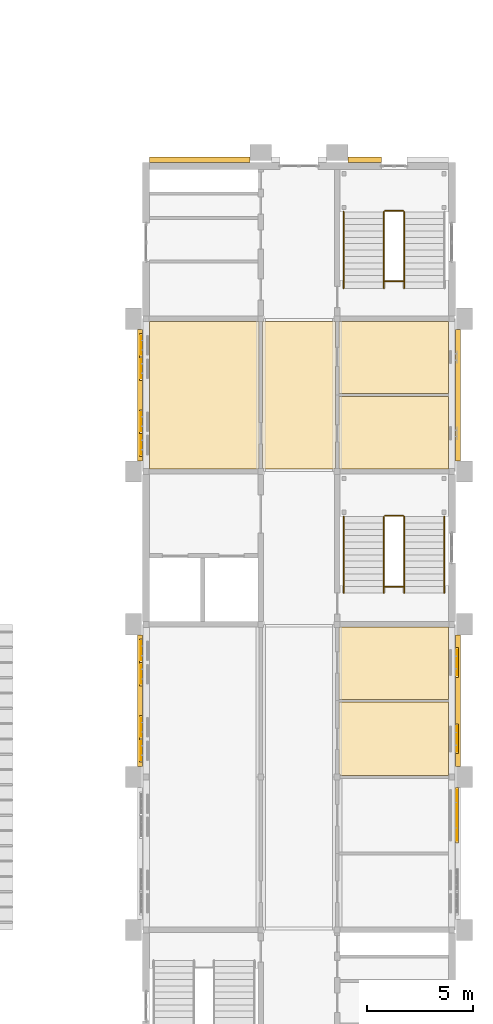
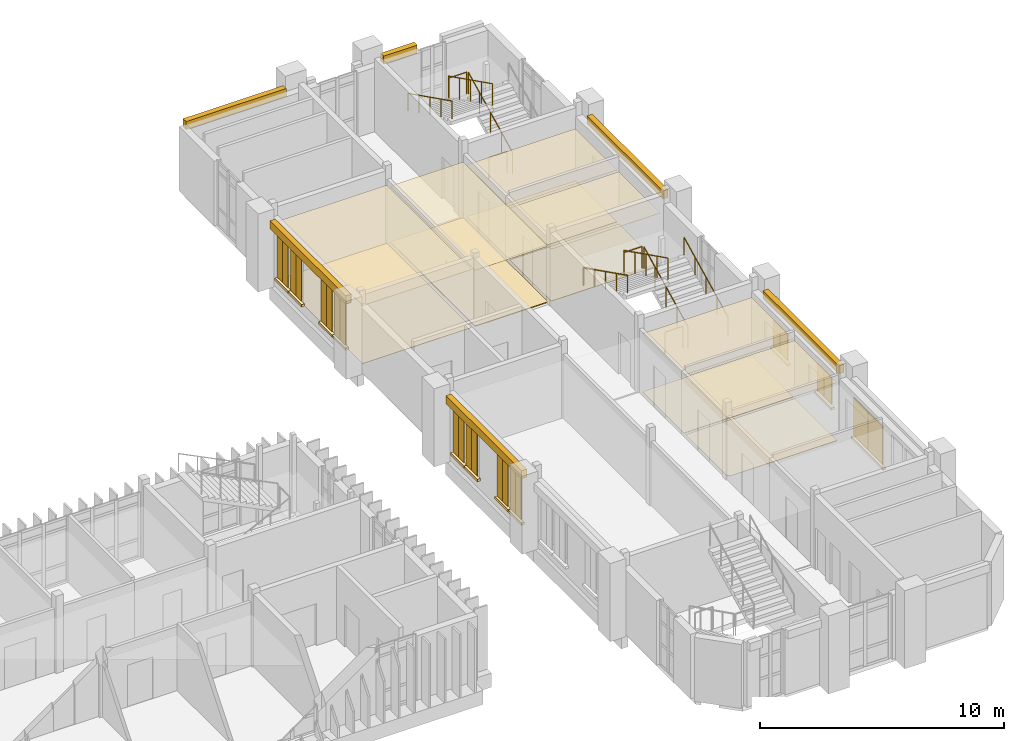
# One storey, part 65 of 69: 51 coverings, 11 railings.
"""IFC4 building model written with IfcOpenShell, lengths in metres."""

from ifc_helpers import new_model, si_unit, direction, frame, origin, origin_2d, place, context, subcontext, project, spatial, polyline, rectangle, circle, outline, extrude, material, layer, layer_set, type_object, element, save


model = new_model("IFC4")

# Units and contexts
model_context = context("Model", 3, precision=1e-05, world=origin(), true_north=direction((0.0, 1.0)))
body_context = subcontext(model_context, "Body", "Model", "MODEL_VIEW")
ifc_project = project(units=[si_unit("LENGTHUNIT", "METRE"), si_unit("AREAUNIT", "SQUARE_METRE"), si_unit("VOLUMEUNIT", "CUBIC_METRE"), si_unit("PLANEANGLEUNIT", "RADIAN"), si_unit("MASSUNIT", "GRAM", prefix="KILO")], contexts=[model_context])

# Site, building, storey
site_placement = place(None, origin())
site = spatial("IfcSite", under=ifc_project, at=site_placement, CompositionType="ELEMENT")
building_placement = place(site_placement, origin())
building = spatial("IfcBuilding", under=site, at=building_placement, Name="Mazhai Court Health Centre", CompositionType="ELEMENT")
storey_placement = place(building_placement, frame((0.0, 0.0, 6.300048828125)))
storey = spatial("IfcBuildingStorey", under=building, at=storey_placement, Name="L01", CompositionType="ELEMENT", Elevation=6.300048828125)

# Coverings
ifc_material_1 = material(Name="Clay brick masonry", Category="masonry")
ifc_layer_1 = layer(ifc_material_1, 0.25)
ifc_layer_set_1 = layer_set([ifc_layer_1], Name="BRICK BAND 250")
covering_type_1 = type_object("IfcCoveringType", Name="BRICK BAND 250", PredefinedType="MOLDING", material=ifc_layer_set_1)
covering_1_placement = place(storey_placement, frame((0.0, 0.0, 2.969970703125)))
element("IfcCovering", 1, at=covering_1_placement, inside=storey, type_object=covering_type_1, Name="EB-V6-L01-A2p0-0", PredefinedType="MOLDING", context=body_context, shape_type="SweptSolid", body=[
    extrude(outline(polyline([(135.635009765625, 21.10009765625), (135.635009765625, 27.300048828125), (135.385009765625, 27.300048828125), (135.385009765625, 21.10009765625), (135.635009765625, 21.10009765625)])), origin(), (0.0, 0.0, 1.0), 0.39990234375),
])
covering_2_placement = place(storey_placement, frame((0.0, 0.0, 2.969970703125)))
element("IfcCovering", 2, at=covering_2_placement, inside=storey, type_object=covering_type_1, Name="EB-V6-L01-A4p0-0", PredefinedType="MOLDING", context=body_context, shape_type="SweptSolid", body=[
    extrude(outline(polyline([(135.635009765625, 35.5), (135.635009765625, 41.699951171875), (135.385009765625, 41.699951171875), (135.385009765625, 35.5), (135.635009765625, 35.5)])), origin(), (0.0, 0.0, 1.0), 0.39990234375),
])
covering_3_placement = place(storey_placement, frame((0.0, 0.0, 2.969970703125)))
element("IfcCovering", 3, at=covering_3_placement, inside=storey, type_object=covering_type_1, Name="EB-V6-L01-B2p0-0", PredefinedType="MOLDING", context=body_context, shape_type="SweptSolid", body=[
    extrude(outline(polyline([(150.364990234375, 27.300048828125), (150.364990234375, 21.10009765625), (150.614990234375, 21.10009765625), (150.614990234375, 27.300048828125), (150.364990234375, 27.300048828125)])), origin(), (0.0, 0.0, 1.0), 0.39990234375),
])
covering_4_placement = place(storey_placement, frame((0.0, 0.0, 2.969970703125)))
element("IfcCovering", 4, at=covering_4_placement, inside=storey, type_object=covering_type_1, Name="EB-V6-L01-B4p0-0", PredefinedType="MOLDING", context=body_context, shape_type="SweptSolid", body=[
    extrude(outline(polyline([(150.364990234375, 41.699951171875), (150.364990234375, 35.5), (150.614990234375, 35.5), (150.614990234375, 41.699951171875), (150.364990234375, 41.699951171875)])), origin(), (0.0, 0.0, 1.0), 0.39990234375),
])
covering_5_placement = place(storey_placement, frame((0.0, 0.0, 2.949951171875)))
element("IfcCovering", 5, at=covering_5_placement, inside=storey, type_object=covering_type_1, Name="EB-V6-L01-Ep0-0", PredefinedType="MOLDING", context=body_context, shape_type="SweptSolid", body=[
    extrude(outline(polyline([(135.965087890625, 49.56494140625), (140.699951171875, 49.56494140625), (140.699951171875, 49.81494140625), (135.965087890625, 49.81494140625), (135.965087890625, 49.56494140625)])), origin(), (0.0, 0.0, 1.0), 0.39990234375),
])
covering_6_placement = place(storey_placement, frame((0.0, 0.0, 2.949951171875)))
element("IfcCovering", 6, at=covering_6_placement, inside=storey, type_object=covering_type_1, Name="EB-V6-L01-Ep1-1", PredefinedType="MOLDING", context=body_context, shape_type="SweptSolid", body=[
    extrude(outline(polyline([(145.300048828125, 49.56494140625), (146.8798828125, 49.56494140625), (146.8798828125, 49.81494140625), (145.300048828125, 49.81494140625), (145.300048828125, 49.56494140625)])), origin(), (0.0, 0.0, 1.0), 0.39990234375),
])
ifc_material_2 = material(Name="Clay brick masonry", Category="masonry")
ifc_layer_2 = layer(ifc_material_2, 0.14990234375)
ifc_layer_set_2 = layer_set([ifc_layer_2], Name="BRICK SILL COURSE 150")
covering_type_2 = type_object("IfcCoveringType", Name="BRICK SILL COURSE 150", PredefinedType="MOLDING", material=ifc_layer_set_2)
covering_7_placement = place(storey_placement, frame((0.0, 0.0, 0.47998046875)))
element("IfcCovering", 7, at=covering_7_placement, inside=storey, type_object=covering_type_2, Name="ES-WN-V6-L01-A20a", PredefinedType="MOLDING", context=body_context, shape_type="SweptSolid", body=[
    extrude(outline(polyline([(135.635009765625, 21.300048828125), (135.635009765625, 22.39990234375), (135.485107421875, 22.39990234375), (135.485107421875, 21.300048828125), (135.635009765625, 21.300048828125)])), origin(), (0.0, 0.0, 1.0), 0.119873046875),
])
covering_8_placement = place(storey_placement, frame((0.0, 0.0, 0.47998046875)))
element("IfcCovering", 8, at=covering_8_placement, inside=storey, type_object=covering_type_2, Name="ES-WN-V6-L01-A20b", PredefinedType="MOLDING", context=body_context, shape_type="SweptSolid", body=[
    extrude(outline(polyline([(135.635009765625, 22.39990234375), (135.635009765625, 23.5), (135.485107421875, 23.5), (135.485107421875, 22.39990234375), (135.635009765625, 22.39990234375)])), origin(), (0.0, 0.0, 1.0), 0.119873046875),
])
covering_9_placement = place(storey_placement, frame((0.0, 0.0, 0.47998046875)))
element("IfcCovering", 9, at=covering_9_placement, inside=storey, type_object=covering_type_2, Name="ES-WN-V6-L01-A21a", PredefinedType="MOLDING", context=body_context, shape_type="SweptSolid", body=[
    extrude(outline(polyline([(135.635009765625, 24.89990234375), (135.635009765625, 26.0), (135.485107421875, 26.0), (135.485107421875, 24.89990234375), (135.635009765625, 24.89990234375)])), origin(), (0.0, 0.0, 1.0), 0.119873046875),
])
covering_10_placement = place(storey_placement, frame((0.0, 0.0, 0.47998046875)))
element("IfcCovering", 10, at=covering_10_placement, inside=storey, type_object=covering_type_2, Name="ES-WN-V6-L01-A21b", PredefinedType="MOLDING", context=body_context, shape_type="SweptSolid", body=[
    extrude(outline(polyline([(135.635009765625, 26.0), (135.635009765625, 27.10009765625), (135.485107421875, 27.10009765625), (135.485107421875, 26.0), (135.635009765625, 26.0)])), origin(), (0.0, 0.0, 1.0), 0.119873046875),
])
covering_11_placement = place(storey_placement, frame((0.0, 0.0, 0.47998046875)))
element("IfcCovering", 11, at=covering_11_placement, inside=storey, type_object=covering_type_2, Name="ES-WN-V6-L01-A40a", PredefinedType="MOLDING", context=body_context, shape_type="SweptSolid", body=[
    extrude(outline(polyline([(135.635009765625, 35.699951171875), (135.635009765625, 36.800048828125), (135.485107421875, 36.800048828125), (135.485107421875, 35.699951171875), (135.635009765625, 35.699951171875)])), origin(), (0.0, 0.0, 1.0), 0.119873046875),
])
covering_12_placement = place(storey_placement, frame((0.0, 0.0, 0.47998046875)))
element("IfcCovering", 12, at=covering_12_placement, inside=storey, type_object=covering_type_2, Name="ES-WN-V6-L01-A40b", PredefinedType="MOLDING", context=body_context, shape_type="SweptSolid", body=[
    extrude(outline(polyline([(135.635009765625, 36.800048828125), (135.635009765625, 37.89990234375), (135.485107421875, 37.89990234375), (135.485107421875, 36.800048828125), (135.635009765625, 36.800048828125)])), origin(), (0.0, 0.0, 1.0), 0.119873046875),
])
covering_13_placement = place(storey_placement, frame((0.0, 0.0, 0.47998046875)))
element("IfcCovering", 13, at=covering_13_placement, inside=storey, type_object=covering_type_2, Name="ES-WN-V6-L01-A41a", PredefinedType="MOLDING", context=body_context, shape_type="SweptSolid", body=[
    extrude(outline(polyline([(135.635009765625, 39.300048828125), (135.635009765625, 40.39990234375), (135.485107421875, 40.39990234375), (135.485107421875, 39.300048828125), (135.635009765625, 39.300048828125)])), origin(), (0.0, 0.0, 1.0), 0.119873046875),
])
covering_14_placement = place(storey_placement, frame((0.0, 0.0, 0.47998046875)))
element("IfcCovering", 14, at=covering_14_placement, inside=storey, type_object=covering_type_2, Name="ES-WN-V6-L01-A41b", PredefinedType="MOLDING", context=body_context, shape_type="SweptSolid", body=[
    extrude(outline(polyline([(135.635009765625, 40.39990234375), (135.635009765625, 41.5), (135.485107421875, 41.5), (135.485107421875, 40.39990234375), (135.635009765625, 40.39990234375)])), origin(), (0.0, 0.0, 1.0), 0.119873046875),
])
covering_15_placement = place(storey_placement, frame((0.0, 0.0, 0.329833984375)))
element("IfcCovering", 15, at=covering_15_placement, inside=storey, type_object=covering_type_2, Name="ES-WN-V6-L01-B11", PredefinedType="MOLDING", context=body_context, shape_type="SweptSolid", body=[
    extrude(outline(polyline([(150.364990234375, 20.10009765625), (150.364990234375, 17.5), (150.514892578125, 17.5), (150.514892578125, 20.10009765625), (150.364990234375, 20.10009765625)])), origin(), (0.0, 0.0, 1.0), 0.1201171875),
])
covering_16_placement = place(storey_placement, frame((0.0, 0.0, 0.780029296875)))
element("IfcCovering", 16, at=covering_16_placement, inside=storey, type_object=covering_type_2, Name="ES-WN-V6-L01-B20", PredefinedType="MOLDING", context=body_context, shape_type="SweptSolid", body=[
    extrude(outline(polyline([(150.364990234375, 23.10009765625), (150.364990234375, 21.699951171875), (150.514892578125, 21.699951171875), (150.514892578125, 23.10009765625), (150.364990234375, 23.10009765625)])), origin(), (0.0, 0.0, 1.0), 0.119873046875),
])
covering_17_placement = place(storey_placement, frame((0.0, 0.0, 0.780029296875)))
element("IfcCovering", 17, at=covering_17_placement, inside=storey, type_object=covering_type_2, Name="ES-WN-V6-L01-B21", PredefinedType="MOLDING", context=body_context, shape_type="SweptSolid", body=[
    extrude(outline(polyline([(150.364990234375, 26.699951171875), (150.364990234375, 25.300048828125), (150.514892578125, 25.300048828125), (150.514892578125, 26.699951171875), (150.364990234375, 26.699951171875)])), origin(), (0.0, 0.0, 1.0), 0.119873046875),
])
ifc_material_3 = material(Name="Gypsum plasterboard ceiling")
ifc_layer_3 = layer(ifc_material_3, 0.02001953125)
ifc_layer_set_3 = layer_set([ifc_layer_3], Name="CEILING GYPSUM BOARD 20")
covering_type_3 = type_object("IfcCoveringType", Name="CEILING GYPSUM BOARD 20", PredefinedType="CEILING", material=ifc_layer_set_3)
covering_18_placement = place(storey_placement, frame((0.0, 0.0, 2.89990234375)))
element("IfcCovering", 18, at=covering_18_placement, inside=storey, type_object=covering_type_3, Name="ceil-V6-L01-A1-art-and-music-therapy-room", PredefinedType="CEILING", context=body_context, shape_type="SweptSolid", body=[
    extrude(outline(polyline([(141.125, 42.06005859375), (141.06005859375, 42.06005859375), (141.06005859375, 42.074951171875), (135.965087890625, 42.074951171875), (135.965087890625, 35.125), (141.06005859375, 35.125), (141.06005859375, 35.139892578125), (141.125, 35.139892578125), (141.125, 42.06005859375)])), origin(), (0.0, 0.0, 1.0), 0.02001953125),
])
covering_19_placement = place(storey_placement, frame((0.0, 0.0, 2.89990234375)))
element("IfcCovering", 19, at=covering_19_placement, inside=storey, type_object=covering_type_3, Name="ceil-V6-L01-B0-administration-office", PredefinedType="CEILING", context=body_context, shape_type="SweptSolid", body=[
    extrude(outline(polyline([(144.875, 20.739990234375), (144.93994140625, 20.739990234375), (144.93994140625, 20.66259765625), (150.034912109375, 20.66259765625), (150.034912109375, 24.137451171875), (144.875, 24.137451171875), (144.875, 20.739990234375)])), origin(), (0.0, 0.0, 1.0), 0.02001953125),
])
covering_20_placement = place(storey_placement, frame((0.0, 0.0, 2.89990234375)))
element("IfcCovering", 20, at=covering_20_placement, inside=storey, type_object=covering_type_3, Name="ceil-V6-L01-B0-staff-room", PredefinedType="CEILING", context=body_context, shape_type="SweptSolid", body=[
    extrude(outline(polyline([(144.93994140625, 27.675048828125), (144.93994140625, 27.659912109375), (144.875, 27.659912109375), (144.875, 24.262451171875), (150.034912109375, 24.262451171875), (150.034912109375, 27.675048828125), (144.93994140625, 27.675048828125)])), origin(), (0.0, 0.0, 1.0), 0.02001953125),
])
covering_21_placement = place(storey_placement, frame((0.0, 0.0, 2.599853515625)))
element("IfcCovering", 21, at=covering_21_placement, inside=storey, type_object=covering_type_3, Name="ceil-V6-L01-B1-records-room", PredefinedType="CEILING", context=body_context, shape_type="SweptSolid", body=[
    extrude(outline(polyline([(144.875, 35.139892578125), (144.93994140625, 35.139892578125), (144.93994140625, 35.125), (150.034912109375, 35.125), (150.034912109375, 38.52490234375), (144.875, 38.52490234375), (144.875, 35.139892578125)])), origin(), (0.0, 0.0, 1.0), 0.02001953125),
])
ifc_material_4 = material(Name="Mineral fibre ceiling tile")
ifc_layer_4 = layer(ifc_material_4, 0.014892578125)
ifc_layer_set_4 = layer_set([ifc_layer_4], Name="CEILING MINERAL FIBRE TILE 15")
covering_type_4 = type_object("IfcCoveringType", Name="CEILING MINERAL FIBRE TILE 15", PredefinedType="CEILING", material=ifc_layer_set_4)
covering_22_placement = place(storey_placement, frame((0.0, 0.0, 2.800048828125)))
element("IfcCovering", 22, at=covering_22_placement, inside=storey, type_object=covering_type_4, Name="ceil-V6-L01-corridor-1", PredefinedType="CEILING", context=body_context, shape_type="SweptSolid", body=[
    extrude(outline(polyline([(144.659912109375, 35.125), (144.659912109375, 35.139892578125), (144.72509765625, 35.139892578125), (144.72509765625, 42.06005859375), (144.659912109375, 42.06005859375), (144.659912109375, 42.074951171875), (141.340087890625, 42.074951171875), (141.340087890625, 42.06005859375), (141.27490234375, 42.06005859375), (141.27490234375, 35.139892578125), (141.340087890625, 35.139892578125), (141.340087890625, 35.125), (144.659912109375, 35.125)])), origin(), (0.0, 0.0, 1.0), 0.014892578125),
])
ifc_material_5 = material(Name="Moisture resistant gypsum ceiling")
ifc_layer_5 = layer(ifc_material_5, 0.014892578125)
ifc_layer_set_5 = layer_set([ifc_layer_5], Name="CEILING MOISTURE RESISTANT BOARD 15")
covering_type_5 = type_object("IfcCoveringType", Name="CEILING MOISTURE RESISTANT BOARD 15", PredefinedType="CEILING", material=ifc_layer_set_5)
covering_23_placement = place(storey_placement, frame((0.0, 0.0, 2.599853515625)))
element("IfcCovering", 23, at=covering_23_placement, inside=storey, type_object=covering_type_5, Name="ceil-V6-L01-B1-accessible-wc", PredefinedType="CEILING", context=body_context, shape_type="SweptSolid", body=[
    extrude(outline(polyline([(144.93994140625, 42.074951171875), (144.93994140625, 42.06005859375), (144.875, 42.06005859375), (144.875, 38.675048828125), (150.034912109375, 38.675048828125), (150.034912109375, 42.074951171875), (144.93994140625, 42.074951171875)])), origin(), (0.0, 0.0, 1.0), 0.01513671875),
])
ifc_material_6 = material(Name="Heavy duty vinyl flooring")
ifc_layer_6 = layer(ifc_material_6, 0.02001953125)
ifc_layer_set_6 = layer_set([ifc_layer_6], Name="FLOOR FINISH HEAVY DUTY VINYL FLOORING 20")
covering_type_6 = type_object("IfcCoveringType", Name="FLOOR FINISH HEAVY DUTY VINYL FLOORING 20", PredefinedType="FLOORING", material=ifc_layer_set_6)
covering_24_placement = place(storey_placement, origin())
element("IfcCovering", 24, at=covering_24_placement, inside=storey, type_object=covering_type_6, Name="floor-V6-L01-B1-records-room", PredefinedType="FLOORING", context=body_context, shape_type="SweptSolid", body=[
    extrude(outline(polyline([(144.875, 35.139892578125), (144.93994140625, 35.139892578125), (144.93994140625, 35.125), (150.034912109375, 35.125), (150.034912109375, 38.52490234375), (144.875, 38.52490234375), (144.875, 35.139892578125)])), origin(), (0.0, 0.0, 1.0), 0.02001953125),
])
ifc_material_7 = material(Name="Linoleum flooring")
ifc_layer_7 = layer(ifc_material_7, 0.02001953125)
ifc_layer_set_7 = layer_set([ifc_layer_7], Name="FLOOR FINISH LINOLEUM FLOORING 20")
covering_type_7 = type_object("IfcCoveringType", Name="FLOOR FINISH LINOLEUM FLOORING 20", PredefinedType="FLOORING", material=ifc_layer_set_7)
covering_25_placement = place(storey_placement, origin())
element("IfcCovering", 25, at=covering_25_placement, inside=storey, type_object=covering_type_7, Name="floor-V6-L01-A1-art-and-music-therapy-room", PredefinedType="FLOORING", context=body_context, shape_type="SweptSolid", body=[
    extrude(outline(polyline([(141.125, 42.06005859375), (141.06005859375, 42.06005859375), (141.06005859375, 42.074951171875), (135.965087890625, 42.074951171875), (135.965087890625, 35.125), (141.06005859375, 35.125), (141.06005859375, 35.139892578125), (141.125, 35.139892578125), (141.125, 42.06005859375)])), origin(), (0.0, 0.0, 1.0), 0.02001953125),
])
covering_26_placement = place(storey_placement, origin())
element("IfcCovering", 26, at=covering_26_placement, inside=storey, type_object=covering_type_7, Name="floor-V6-L01-B0-administration-office", PredefinedType="FLOORING", context=body_context, shape_type="SweptSolid", body=[
    extrude(outline(polyline([(144.875, 20.739990234375), (144.93994140625, 20.739990234375), (144.93994140625, 20.66259765625), (150.034912109375, 20.66259765625), (150.034912109375, 24.137451171875), (144.875, 24.137451171875), (144.875, 20.739990234375)])), origin(), (0.0, 0.0, 1.0), 0.02001953125),
])
covering_27_placement = place(storey_placement, origin())
element("IfcCovering", 27, at=covering_27_placement, inside=storey, type_object=covering_type_7, Name="floor-V6-L01-B0-staff-room", PredefinedType="FLOORING", context=body_context, shape_type="SweptSolid", body=[
    extrude(outline(polyline([(144.93994140625, 27.675048828125), (144.93994140625, 27.659912109375), (144.875, 27.659912109375), (144.875, 24.262451171875), (150.034912109375, 24.262451171875), (150.034912109375, 27.675048828125), (144.93994140625, 27.675048828125)])), origin(), (0.0, 0.0, 1.0), 0.02001953125),
])
ifc_material_8 = material(Name="Porcelain tile flooring")
ifc_layer_8 = layer(ifc_material_8, 0.02490234375)
ifc_layer_set_8 = layer_set([ifc_layer_8], Name="FLOOR FINISH PORCELAIN TILE FLOORING 25")
covering_type_8 = type_object("IfcCoveringType", Name="FLOOR FINISH PORCELAIN TILE FLOORING 25", PredefinedType="FLOORING", material=ifc_layer_set_8)
covering_28_placement = place(storey_placement, origin())
element("IfcCovering", 28, at=covering_28_placement, inside=storey, type_object=covering_type_8, Name="floor-V6-L01-B1-accessible-wc", PredefinedType="FLOORING", context=body_context, shape_type="SweptSolid", body=[
    extrude(outline(polyline([(144.93994140625, 42.074951171875), (144.93994140625, 42.06005859375), (144.875, 42.06005859375), (144.875, 38.675048828125), (150.034912109375, 38.675048828125), (150.034912109375, 42.074951171875), (144.93994140625, 42.074951171875)])), origin(), (0.0, 0.0, 1.0), 0.02490234375),
])
ifc_material_9 = material(Name="Terrazzo flooring")
ifc_layer_9 = layer(ifc_material_9, 0.0400390625)
ifc_layer_set_9 = layer_set([ifc_layer_9], Name="FLOOR FINISH TERRAZZO FLOORING 40")
covering_type_9 = type_object("IfcCoveringType", Name="FLOOR FINISH TERRAZZO FLOORING 40", PredefinedType="FLOORING", material=ifc_layer_set_9)
covering_29_placement = place(storey_placement, origin())
element("IfcCovering", 29, at=covering_29_placement, inside=storey, type_object=covering_type_9, Name="floor-V6-L01-corridor-1", PredefinedType="FLOORING", context=body_context, shape_type="SweptSolid", body=[
    extrude(outline(polyline([(144.659912109375, 35.125), (144.659912109375, 35.139892578125), (144.72509765625, 35.139892578125), (144.72509765625, 42.06005859375), (144.659912109375, 42.06005859375), (144.659912109375, 42.074951171875), (141.340087890625, 42.074951171875), (141.340087890625, 42.06005859375), (141.27490234375, 42.06005859375), (141.27490234375, 35.139892578125), (141.340087890625, 35.139892578125), (141.340087890625, 35.125), (144.659912109375, 35.125)])), origin(), (0.0, 0.0, 1.0), 0.0400390625),
])
ifc_material_10 = material(Name="Aluminium louvre", Category="aluminium")
ifc_layer_10 = layer(ifc_material_10, 0.0400390625)
ifc_layer_set_10 = layer_set([ifc_layer_10], Name="SHUTTER LEAF 600x40")
covering_type_10 = type_object("IfcCoveringType", Name="SHUTTER LEAF 600x40", PredefinedType="CLADDING", material=ifc_layer_set_10)
for number, where, z_axis, x_axis, name in (
    (30, (135.554931640625, 21.625, 0.7001953125), (0.0, 0.0, 1.0), (0.0, 1.0, 0.0), "LV-V6-L01-A20aa"),
    (31, (135.554931640625, 22.074951171875, 0.7001953125), (0.0, 0.0, 1.0), (0.0, 1.0, 0.0), "LV-V6-L01-A20ab"),
    (32, (135.554931640625, 22.72509765625, 0.7001953125), (0.0, 0.0, 1.0), (0.0, 1.0, 0.0), "LV-V6-L01-A20ba"),
    (33, (135.554931640625, 23.175048828125, 0.7001953125), (0.0, 0.0, 1.0), (0.0, 1.0, 0.0), "LV-V6-L01-A20bb"),
    (34, (135.554931640625, 25.22509765625, 0.7001953125), (0.0, 0.0, 1.0), (0.0, 1.0, 0.0), "LV-V6-L01-A21aa"),
    (35, (135.554931640625, 25.675048828125, 0.7001953125), (0.0, 0.0, 1.0), (0.0, 1.0, 0.0), "LV-V6-L01-A21ab"),
    (36, (135.554931640625, 26.324951171875, 0.7001953125), (0.0, 0.0, 1.0), (0.0, 1.0, 0.0), "LV-V6-L01-A21ba"),
    (37, (135.554931640625, 26.77490234375, 0.7001953125), (0.0, 0.0, 1.0), (0.0, 1.0, 0.0), "LV-V6-L01-A21bb"),
    (38, (135.554931640625, 36.02490234375, 0.7001953125), (0.0, 0.0, 1.0), (0.0, 1.0, 0.0), "LV-V6-L01-A40aa"),
    (39, (135.554931640625, 36.47509765625, 0.7001953125), (0.0, 0.0, 1.0), (0.0, 1.0, 0.0), "LV-V6-L01-A40ab"),
    (40, (135.554931640625, 37.125, 0.7001953125), (0.0, 0.0, 1.0), (0.0, 1.0, 0.0), "LV-V6-L01-A40ba"),
    (41, (135.554931640625, 37.574951171875, 0.7001953125), (0.0, 0.0, 1.0), (0.0, 1.0, 0.0), "LV-V6-L01-A40bb"),
    (42, (135.554931640625, 39.625, 0.7001953125), (0.0, 0.0, 1.0), (0.0, 1.0, 0.0), "LV-V6-L01-A41aa"),
    (43, (135.554931640625, 40.074951171875, 0.7001953125), (0.0, 0.0, 1.0), (0.0, 1.0, 0.0), "LV-V6-L01-A41ab"),
    (44, (135.554931640625, 40.72509765625, 0.7001953125), (0.0, 0.0, 1.0), (0.0, 1.0, 0.0), "LV-V6-L01-A41ba"),
    (45, (135.554931640625, 41.175048828125, 0.7001953125), (0.0, 0.0, 1.0), (0.0, 1.0, 0.0), "LV-V6-L01-A41bb"),
):
    element("IfcCovering", number, at=place(storey_placement, frame(where, z_axis=z_axis, x_axis=x_axis)), inside=storey, type_object=covering_type_10, Name=name, PredefinedType="CLADDING", context=body_context, shape_type="SweptSolid", body=[
        extrude(rectangle(XDim=0.449951171875, YDim=0.0400390625, at=origin_2d()), origin(), (0.0, 0.0, 1.0), 2.199951171875),
    ])
for number, where, z_axis, x_axis, name in (
    (46, (150.445068359375, 18.199951171875, 0.550048828125), (0.0, 0.0, 1.0), (0.0, 1.0, 0.0), "LV-V6-L01-B11a"),
    (47, (150.445068359375, 19.39990234375, 0.550048828125), (0.0, 0.0, 1.0), (0.0, 1.0, 0.0), "LV-V6-L01-B11b"),
):
    element("IfcCovering", number, at=place(storey_placement, frame(where, z_axis=z_axis, x_axis=x_axis)), inside=storey, type_object=covering_type_10, Name=name, PredefinedType="CLADDING", context=body_context, shape_type="SweptSolid", body=[
        extrude(rectangle(XDim=1.199951171875, YDim=0.0400390625, at=origin_2d()), origin(), (0.0, 0.0, 1.0), 1.89990234375),
    ])
for number, where, z_axis, x_axis, name in (
    (48, (150.445068359375, 22.10009765625, 1.0), (0.0, 0.0, 1.0), (0.0, 1.0, 0.0), "LV-V6-L01-B20a"),
    (49, (150.445068359375, 22.699951171875, 1.0), (0.0, 0.0, 1.0), (0.0, 1.0, 0.0), "LV-V6-L01-B20b"),
    (50, (150.445068359375, 25.699951171875, 1.0), (0.0, 0.0, 1.0), (0.0, 1.0, 0.0), "LV-V6-L01-B21a"),
    (51, (150.445068359375, 26.300048828125, 1.0), (0.0, 0.0, 1.0), (0.0, 1.0, 0.0), "LV-V6-L01-B21b"),
):
    element("IfcCovering", number, at=place(storey_placement, frame(where, z_axis=z_axis, x_axis=x_axis)), inside=storey, type_object=covering_type_10, Name=name, PredefinedType="CLADDING", context=body_context, shape_type="SweptSolid", body=[
        extrude(rectangle(XDim=0.60009765625, YDim=0.0400390625, at=origin_2d()), origin(), (0.0, 0.0, 1.0), 1.300048828125),
    ])

# Railings
ifc_material_11 = material(Name="Steel IS 2062 E250", Category="steel")
railing_type_1 = type_object("IfcRailingType", Name="STAIR GUARD 1100", PredefinedType="GUARDRAIL", material=ifc_material_11)
railing_1_placement = place(storey_placement, frame((147.955078125, 29.27490234375, 0.14990234375)))
element("IfcRailing", 52, at=railing_1_placement, inside=storey, type_object=railing_type_1, Name="L01 ST9 stair guard 1", PredefinedType="GUARDRAIL", context=body_context, shape_type="SweptSolid", body=[
    extrude(circle(Radius=0.02392578125, at=origin_2d()), frame((0.0, 0.0, 1.076171875), z_axis=(0.0, 0.894427191, 0.4472135955), x_axis=(-1.0, 0.0, 0.0)), (0.0, 0.0, 1.0), 4.025146484375),
    extrude(circle(Radius=0.02099609375, at=origin_2d()), origin(), (0.0, 0.0, 1.0), 1.052001953125),
    extrude(circle(Radius=0.02099609375, at=origin_2d()), frame((0.0, 0.89990234375, 0.449951171875)), (0.0, 0.0, 1.0), 1.052001953125),
    extrude(circle(Radius=0.02099609375, at=origin_2d()), frame((0.0, 1.800048828125, 0.89990234375)), (0.0, 0.0, 1.0), 1.052001953125),
    extrude(circle(Radius=0.02099609375, at=origin_2d()), frame((0.0, 2.7001953125, 1.35009765625)), (0.0, 0.0, 1.0), 1.052001953125),
    extrude(circle(Radius=0.02099609375, at=origin_2d()), frame((0.0, 3.60009765625, 1.800048828125)), (0.0, 0.0, 1.0), 1.052001953125),
])
railing_2_placement = place(storey_placement, frame((147.905029296875, 32.925048828125, 1.949951171875)))
element("IfcRailing", 53, at=railing_2_placement, inside=storey, type_object=railing_type_1, Name="L01 ST9 stair guard 2", PredefinedType="GUARDRAIL", context=body_context, shape_type="SweptSolid", body=[
    extrude(circle(Radius=0.02392578125, at=origin_2d()), frame((0.0, 0.0, 1.076171875), z_axis=(-1.0, 0.0, 0.0), x_axis=(0.0, -1.0, 0.0)), (0.0, 0.0, 1.0), 0.85009765625),
    extrude(circle(Radius=0.02099609375, at=origin_2d()), origin(), (0.0, 0.0, 1.0), 1.052001953125),
    extrude(circle(Radius=0.02099609375, at=origin_2d()), frame((-0.85009765625, 0.0, 0.0)), (0.0, 0.0, 1.0), 1.052001953125),
])
railing_3_placement = place(storey_placement, frame((147.0048828125, 32.875, 2.099853515625)))
element("IfcRailing", 54, at=railing_3_placement, inside=storey, type_object=railing_type_1, Name="L01 ST9 stair guard 3", PredefinedType="GUARDRAIL", context=body_context, shape_type="SweptSolid", body=[
    extrude(circle(Radius=0.02392578125, at=origin_2d()), frame((0.0, 0.0, 1.076171875), z_axis=(0.0, -0.894427191, 0.4472135955), x_axis=(1.0, 0.0, 0.0)), (0.0, 0.0, 1.0), 4.025146484375),
    extrude(circle(Radius=0.02099609375, at=origin_2d()), origin(), (0.0, 0.0, 1.0), 1.052001953125),
    extrude(circle(Radius=0.02099609375, at=origin_2d()), frame((0.0, -0.89990234375, 0.449951171875)), (0.0, 0.0, 1.0), 1.052001953125),
    extrude(circle(Radius=0.02099609375, at=origin_2d()), frame((0.0, -1.800048828125, 0.89990234375)), (0.0, 0.0, 1.0), 1.052001953125),
    extrude(circle(Radius=0.02099609375, at=origin_2d()), frame((0.0, -2.7001953125, 1.35009765625)), (0.0, 0.0, 1.0), 1.052001953125),
    extrude(circle(Radius=0.02099609375, at=origin_2d()), frame((0.0, -3.60009765625, 1.800048828125)), (0.0, 0.0, 1.0), 1.052001953125),
])
railing_4_placement = place(storey_placement, frame((147.905029296875, 29.574951171875, 0.0)))
element("IfcRailing", 55, at=railing_4_placement, inside=storey, type_object=railing_type_1, Name="L01 ST9 stair guard 4", PredefinedType="GUARDRAIL", context=body_context, shape_type="SweptSolid", body=[
    extrude(circle(Radius=0.02392578125, at=origin_2d()), frame((0.0, 0.0, 1.076171875), z_axis=(-1.0, 0.0, 0.0), x_axis=(0.0, -1.0, 0.0)), (0.0, 0.0, 1.0), 0.85009765625),
    extrude(circle(Radius=0.02099609375, at=origin_2d()), origin(), (0.0, 0.0, 1.0), 1.052001953125),
    extrude(circle(Radius=0.02099609375, at=origin_2d()), frame((-0.85009765625, 0.0, 0.0)), (0.0, 0.0, 1.0), 1.052001953125),
])
railing_5_placement = place(storey_placement, frame((147.955078125, 43.635009765625, 0.14990234375)))
element("IfcRailing", 56, at=railing_5_placement, inside=storey, type_object=railing_type_1, Name="L01 ST10 stair guard 1", PredefinedType="GUARDRAIL", context=body_context, shape_type="SweptSolid", body=[
    extrude(circle(Radius=0.02392578125, at=origin_2d()), frame((0.0, 0.0, 1.076171875), z_axis=(0.0, 0.894427191, 0.4472135955), x_axis=(-1.0, 0.0, 0.0)), (0.0, 0.0, 1.0), 4.025146484375),
    extrude(circle(Radius=0.02099609375, at=origin_2d()), origin(), (0.0, 0.0, 1.0), 1.052001953125),
    extrude(circle(Radius=0.02099609375, at=origin_2d()), frame((0.0, 0.89990234375, 0.449951171875)), (0.0, 0.0, 1.0), 1.052001953125),
    extrude(circle(Radius=0.02099609375, at=origin_2d()), frame((0.0, 1.800048828125, 0.89990234375)), (0.0, 0.0, 1.0), 1.052001953125),
    extrude(circle(Radius=0.02099609375, at=origin_2d()), frame((0.0, 2.7001953125, 1.35009765625)), (0.0, 0.0, 1.0), 1.052001953125),
    extrude(circle(Radius=0.02099609375, at=origin_2d()), frame((0.0, 3.60009765625, 1.800048828125)), (0.0, 0.0, 1.0), 1.052001953125),
])
railing_6_placement = place(storey_placement, frame((147.905029296875, 47.284912109375, 1.949951171875)))
element("IfcRailing", 57, at=railing_6_placement, inside=storey, type_object=railing_type_1, Name="L01 ST10 stair guard 2", PredefinedType="GUARDRAIL", context=body_context, shape_type="SweptSolid", body=[
    extrude(circle(Radius=0.02392578125, at=origin_2d()), frame((0.0, 0.0, 1.076171875), z_axis=(-1.0, 0.0, 0.0), x_axis=(0.0, -1.0, 0.0)), (0.0, 0.0, 1.0), 0.85009765625),
    extrude(circle(Radius=0.02099609375, at=origin_2d()), origin(), (0.0, 0.0, 1.0), 1.052001953125),
    extrude(circle(Radius=0.02099609375, at=origin_2d()), frame((-0.85009765625, 0.0, 0.0)), (0.0, 0.0, 1.0), 1.052001953125),
])
railing_7_placement = place(storey_placement, frame((147.0048828125, 47.235107421875, 2.099853515625)))
element("IfcRailing", 58, at=railing_7_placement, inside=storey, type_object=railing_type_1, Name="L01 ST10 stair guard 3", PredefinedType="GUARDRAIL", context=body_context, shape_type="SweptSolid", body=[
    extrude(circle(Radius=0.02392578125, at=origin_2d()), frame((0.0, 0.0, 1.076171875), z_axis=(0.0, -0.894427191, 0.4472135955), x_axis=(1.0, 0.0, 0.0)), (0.0, 0.0, 1.0), 4.025146484375),
    extrude(circle(Radius=0.02099609375, at=origin_2d()), origin(), (0.0, 0.0, 1.0), 1.052001953125),
    extrude(circle(Radius=0.02099609375, at=origin_2d()), frame((0.0, -0.89990234375, 0.449951171875)), (0.0, 0.0, 1.0), 1.052001953125),
    extrude(circle(Radius=0.02099609375, at=origin_2d()), frame((0.0, -1.800048828125, 0.89990234375)), (0.0, 0.0, 1.0), 1.052001953125),
    extrude(circle(Radius=0.02099609375, at=origin_2d()), frame((0.0, -2.7001953125, 1.35009765625)), (0.0, 0.0, 1.0), 1.052001953125),
    extrude(circle(Radius=0.02099609375, at=origin_2d()), frame((0.0, -3.60009765625, 1.800048828125)), (0.0, 0.0, 1.0), 1.052001953125),
])
railing_8_placement = place(storey_placement, frame((147.905029296875, 43.97509765625, 0.0)))
element("IfcRailing", 59, at=railing_8_placement, inside=storey, type_object=railing_type_1, Name="L01 ST10 stair guard 4", PredefinedType="GUARDRAIL", context=body_context, shape_type="SweptSolid", body=[
    extrude(circle(Radius=0.02392578125, at=origin_2d()), frame((0.0, 0.0, 1.076171875), z_axis=(-1.0, 0.0, 0.0), x_axis=(0.0, -1.0, 0.0)), (0.0, 0.0, 1.0), 0.85009765625),
    extrude(circle(Radius=0.02099609375, at=origin_2d()), origin(), (0.0, 0.0, 1.0), 1.052001953125),
    extrude(circle(Radius=0.02099609375, at=origin_2d()), frame((-0.85009765625, 0.0, 0.0)), (0.0, 0.0, 1.0), 1.052001953125),
])
ifc_material_12 = material(Name="Steel IS 2062 E250", Category="steel")
railing_type_2 = type_object("IfcRailingType", Name="STAIR HANDRAIL 900", PredefinedType="HANDRAIL", material=ifc_material_12)
railing_9_placement = place(storey_placement, frame((149.85498046875, 29.27490234375, 0.14990234375)))
element("IfcRailing", 60, at=railing_9_placement, inside=storey, type_object=railing_type_2, Name="L01 ST9 stair handrail 1", PredefinedType="HANDRAIL", context=body_context, shape_type="SweptSolid", body=[
    extrude(circle(Radius=0.02392578125, at=origin_2d()), frame((0.0, 0.0, 0.8759765625), z_axis=(0.0, 0.894427191, 0.4472135955), x_axis=(-1.0, 0.0, 0.0)), (0.0, 0.0, 1.0), 4.025146484375),
    extrude(circle(Radius=0.02099609375, at=origin_2d()), origin(), (0.0, 0.0, 1.0), 0.851806640625),
    extrude(circle(Radius=0.02099609375, at=origin_2d()), frame((0.0, 0.89990234375, 0.449951171875)), (0.0, 0.0, 1.0), 0.851806640625),
    extrude(circle(Radius=0.02099609375, at=origin_2d()), frame((0.0, 1.800048828125, 0.89990234375)), (0.0, 0.0, 1.0), 0.851806640625),
    extrude(circle(Radius=0.02099609375, at=origin_2d()), frame((0.0, 2.7001953125, 1.35009765625)), (0.0, 0.0, 1.0), 0.851806640625),
    extrude(circle(Radius=0.02099609375, at=origin_2d()), frame((0.0, 3.60009765625, 1.800048828125)), (0.0, 0.0, 1.0), 0.851806640625),
])
for number, where, name in (
    (61, (145.10498046875, 32.875, 2.099853515625), "L01 ST9 stair handrail 2"),
    (62, (145.10498046875, 47.235107421875, 2.099853515625), "L01 ST10 stair handrail 2"),
):
    element("IfcRailing", number, at=place(storey_placement, frame(where)), inside=storey, type_object=railing_type_2, Name=name, PredefinedType="HANDRAIL", context=body_context, shape_type="SweptSolid", body=[
        extrude(circle(Radius=0.02392578125, at=origin_2d()), frame((0.0, 0.0, 0.8759765625), z_axis=(0.0, -0.894427191, 0.4472135955), x_axis=(1.0, 0.0, 0.0)), (0.0, 0.0, 1.0), 4.025146484375),
        extrude(circle(Radius=0.02099609375, at=origin_2d()), origin(), (0.0, 0.0, 1.0), 0.851806640625),
        extrude(circle(Radius=0.02099609375, at=origin_2d()), frame((0.0, -0.89990234375, 0.449951171875)), (0.0, 0.0, 1.0), 0.851806640625),
        extrude(circle(Radius=0.02099609375, at=origin_2d()), frame((0.0, -1.800048828125, 0.89990234375)), (0.0, 0.0, 1.0), 0.851806640625),
        extrude(circle(Radius=0.02099609375, at=origin_2d()), frame((0.0, -2.7001953125, 1.35009765625)), (0.0, 0.0, 1.0), 0.851806640625),
        extrude(circle(Radius=0.02099609375, at=origin_2d()), frame((0.0, -3.60009765625, 1.800048828125)), (0.0, 0.0, 1.0), 0.851806640625),
    ])

save(model, "model.ifc")
